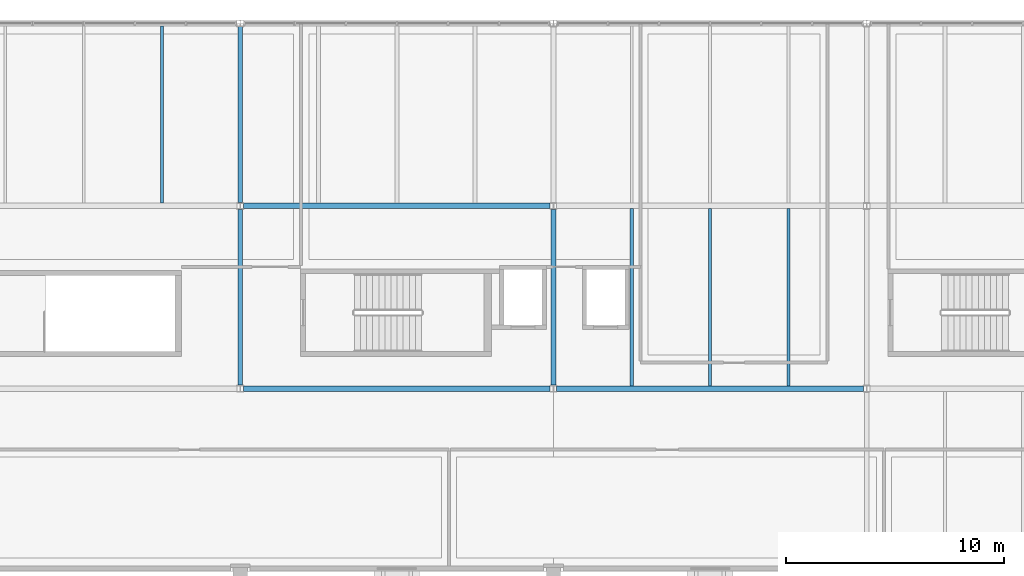
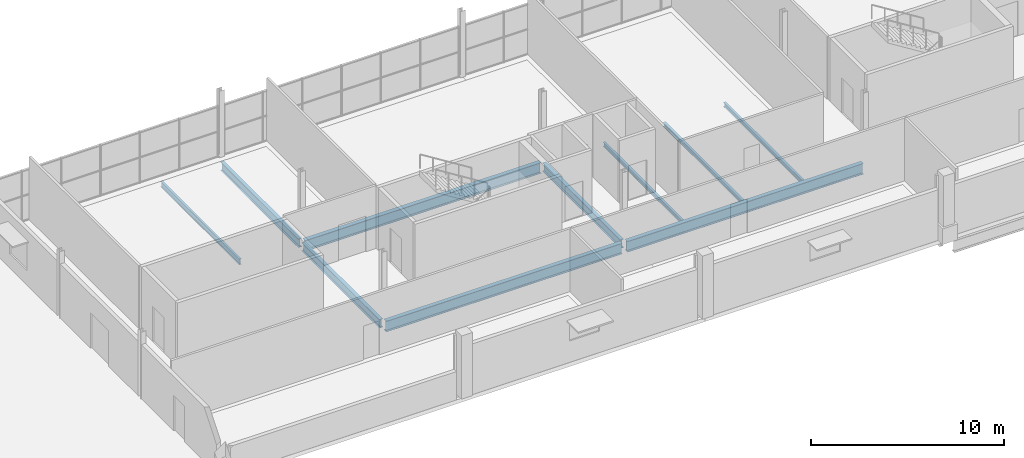
# One storey, part 33 of 68: 10 beams.
"""IFC4 building model written with IfcOpenShell, lengths in metres."""

from ifc_helpers import new_model, si_unit, direction, frame, origin, origin_2d, place, context, subcontext, project, spatial, i_section, extrude, material, material_profile, profile_set, type_object, element, save


model = new_model("IFC4")

# Units and contexts
model_context = context("Model", 3, precision=1e-05, world=origin(), true_north=direction((0.0, 1.0)))
body_context = subcontext(model_context, "Body", "Model", "MODEL_VIEW")
ifc_project = project(units=[si_unit("LENGTHUNIT", "METRE"), si_unit("AREAUNIT", "SQUARE_METRE"), si_unit("VOLUMEUNIT", "CUBIC_METRE"), si_unit("PLANEANGLEUNIT", "RADIAN"), si_unit("MASSUNIT", "GRAM", prefix="KILO"), si_unit("THERMODYNAMICTEMPERATUREUNIT", "KELVIN")], contexts=[model_context])

# Site, building, storey
site_placement = place(None, origin())
site = spatial("IfcSite", under=ifc_project, at=site_placement, CompositionType="ELEMENT")
building_placement = place(site_placement, origin())
building = spatial("IfcBuilding", under=site, at=building_placement, Name="Nduvali Passage Aquatics Centre", CompositionType="ELEMENT")
storey_placement = place(building_placement, frame((0.0, 0.0, 13.199951171875)))
storey = spatial("IfcBuildingStorey", under=building, at=storey_placement, Name="L03", CompositionType="ELEMENT", Elevation=13.199951171875)

# Beams
ifc_material = material(Name="Steel S355", Category="steel")
ifc_material_profile_1 = material_profile(ifc_material, i_section(OverallWidth=0.210693359375, OverallDepth=0.53955078125, WebThickness=0.01171875, FlangeThickness=0.018798828125, FilletRadius=0.0126953125, at=origin_2d()), Name="UKB 533x210x109")
ifc_profile_set_1 = profile_set([ifc_material_profile_1], Name="Steel S355")
beam_type_1 = type_object("IfcBeamType", Name="STR-BM-UKB533", PredefinedType="BEAM", material=ifc_profile_set_1)
beam_1_placement = place(storey_placement, frame((68.39990234375, 100.97509765625, -0.523681640625), z_axis=(0.0, 1.0, 0.0), x_axis=(-1.0, 0.0, 0.0)))
element("IfcBeam", 1, at=beam_1_placement, inside=storey, type_object=beam_type_1, Name="L03 Primary Y-Girder B6-1263", PredefinedType="BEAM", context=body_context, shape_type="SweptSolid", body=[
    extrude(i_section(OverallWidth=0.210693359375, OverallDepth=0.53955078125, WebThickness=0.01171875, FlangeThickness=0.018798828125, FilletRadius=0.0126953125, at=origin_2d()), origin(), (0.0, 0.0, 1.0), 8.054931640625),
])
beam_2_placement = place(storey_placement, frame((68.39990234375, 109.3701171875, -0.523681640625), z_axis=(0.0, 1.0, 0.0), x_axis=(-1.0, 0.0, 0.0)))
element("IfcBeam", 2, at=beam_2_placement, inside=storey, type_object=beam_type_1, Name="L03 Primary Y-Girder B6-1264", PredefinedType="BEAM", context=body_context, shape_type="SweptSolid", body=[
    extrude(i_section(OverallWidth=0.210693359375, OverallDepth=0.53955078125, WebThickness=0.01171875, FlangeThickness=0.018798828125, FilletRadius=0.0126953125, at=origin_2d()), origin(), (0.0, 0.0, 1.0), 8.06982421875),
])
beam_3_placement = place(storey_placement, frame((82.800048828125, 100.97509765625, -0.523681640625), z_axis=(0.0, 1.0, 0.0), x_axis=(-1.0, 0.0, 0.0)))
element("IfcBeam", 3, at=beam_3_placement, inside=storey, type_object=beam_type_1, Name="L03 Primary Y-Girder B6-1265", PredefinedType="BEAM", context=body_context, shape_type="SweptSolid", body=[
    extrude(i_section(OverallWidth=0.210693359375, OverallDepth=0.53955078125, WebThickness=0.01171875, FlangeThickness=0.018798828125, FilletRadius=0.0126953125, at=origin_2d()), origin(), (0.0, 0.0, 1.0), 8.054931640625),
])
ifc_material_profile_2 = material_profile(ifc_material, i_section(OverallWidth=0.253662109375, OverallDepth=0.68359375, WebThickness=0.012451171875, FlangeThickness=0.01904296875, FilletRadius=0.01513671875, at=origin_2d()), Name="UKB 686x254x140")
ifc_profile_set_2 = profile_set([ifc_material_profile_2], Name="Steel S355")
beam_type_2 = type_object("IfcBeamType", Name="STR-BM-UKB686", PredefinedType="BEAM", material=ifc_profile_set_2)
beam_4_placement = place(storey_placement, frame((68.550048828125, 100.800048828125, -0.595703125), z_axis=(1.0, 0.0, 0.0), x_axis=(0.0, 1.0, 0.0)))
element("IfcBeam", 4, at=beam_4_placement, inside=storey, type_object=beam_type_2, Name="L03 Primary X-Girder B4-1223", PredefinedType="BEAM", context=body_context, shape_type="SweptSolid", body=[
    extrude(i_section(OverallWidth=0.253662109375, OverallDepth=0.68359375, WebThickness=0.012451171875, FlangeThickness=0.01904296875, FilletRadius=0.01513671875, at=origin_2d()), origin(), (0.0, 0.0, 1.0), 14.099853515625),
])
beam_5_placement = place(storey_placement, frame((82.949951171875, 100.800048828125, -0.595703125), z_axis=(1.0, 0.0, 0.0), x_axis=(0.0, 1.0, 0.0)))
element("IfcBeam", 5, at=beam_5_placement, inside=storey, type_object=beam_type_2, Name="L03 Primary X-Girder B4-1224", PredefinedType="BEAM", context=body_context, shape_type="SweptSolid", body=[
    extrude(i_section(OverallWidth=0.253662109375, OverallDepth=0.68359375, WebThickness=0.012451171875, FlangeThickness=0.01904296875, FilletRadius=0.01513671875, at=origin_2d()), origin(), (0.0, 0.0, 1.0), 14.10009765625),
])
beam_6_placement = place(storey_placement, frame((68.550048828125, 109.199951171875, -0.595703125), z_axis=(1.0, 0.0, 0.0), x_axis=(0.0, 1.0, 0.0)))
element("IfcBeam", 6, at=beam_6_placement, inside=storey, type_object=beam_type_2, Name="L03 Primary X-Girder B4-1229", PredefinedType="BEAM", context=body_context, shape_type="SweptSolid", body=[
    extrude(i_section(OverallWidth=0.253662109375, OverallDepth=0.68359375, WebThickness=0.012451171875, FlangeThickness=0.01904296875, FilletRadius=0.01513671875, at=origin_2d()), origin(), (0.0, 0.0, 1.0), 14.099853515625),
])
ifc_material_profile_3 = material_profile(ifc_material, i_section(OverallWidth=0.146484375, OverallDepth=0.256103515625, WebThickness=0.00634765625, FlangeThickness=0.010986328125, FilletRadius=0.007568359375, at=origin_2d()), Name="UKB 254x146x37")
ifc_profile_set_3 = profile_set([ifc_material_profile_3], Name="Steel S355")
beam_type_3 = type_object("IfcBeamType", Name="STR-JST-UKB254", PredefinedType="JOIST", material=ifc_profile_set_3)
for number, where, z_axis, x_axis, name in (
    (7, (86.39990234375, 100.9267578125, -0.3818359375), (0.0, 1.0, 0.0), (-1.0, 0.0, 0.0), "L03 Secondary Joist J4-1299"),
    (8, (90.0, 100.9267578125, -0.3818359375), (0.0, 1.0, 0.0), (-1.0, 0.0, 0.0), "L03 Secondary Joist J4-1300"),
    (9, (93.60009765625, 100.9267578125, -0.3818359375), (0.0, 1.0, 0.0), (-1.0, 0.0, 0.0), "L03 Secondary Joist J4-1301"),
):
    element("IfcBeam", number, at=place(storey_placement, frame(where, z_axis=z_axis, x_axis=x_axis)), inside=storey, type_object=beam_type_3, Name=name, PredefinedType="JOIST", context=body_context, shape_type="SweptSolid", body=[
        extrude(i_section(OverallWidth=0.146484375, OverallDepth=0.256103515625, WebThickness=0.00634765625, FlangeThickness=0.010986328125, FilletRadius=0.007568359375, at=origin_2d()), origin(), (0.0, 0.0, 1.0), 8.146484375),
    ])
ifc_material_profile_4 = material_profile(ifc_material, i_section(OverallWidth=0.1259765625, OverallDepth=0.353515625, WebThickness=0.006591796875, FlangeThickness=0.0107421875, FilletRadius=0.01025390625, at=origin_2d()), Name="UKB 356x127x39")
ifc_profile_set_4 = profile_set([ifc_material_profile_4], Name="Steel S355")
beam_type_4 = type_object("IfcBeamType", Name="STR-JST-UKB356L", PredefinedType="JOIST", material=ifc_profile_set_4)
beam_7_placement = place(storey_placement, frame((64.800048828125, 109.326904296875, -0.4306640625), z_axis=(0.0, 1.0, 0.0), x_axis=(-1.0, 0.0, 0.0)))
element("IfcBeam", 10, at=beam_7_placement, inside=storey, type_object=beam_type_4, Name="L03 Secondary Joist J2A-1308", PredefinedType="JOIST", context=body_context, shape_type="SweptSolid", body=[
    extrude(i_section(OverallWidth=0.1259765625, OverallDepth=0.353515625, WebThickness=0.006591796875, FlangeThickness=0.0107421875, FilletRadius=0.01025390625, at=origin_2d()), origin(), (0.0, 0.0, 1.0), 8.139892578125),
])

save(model, "model.ifc")
